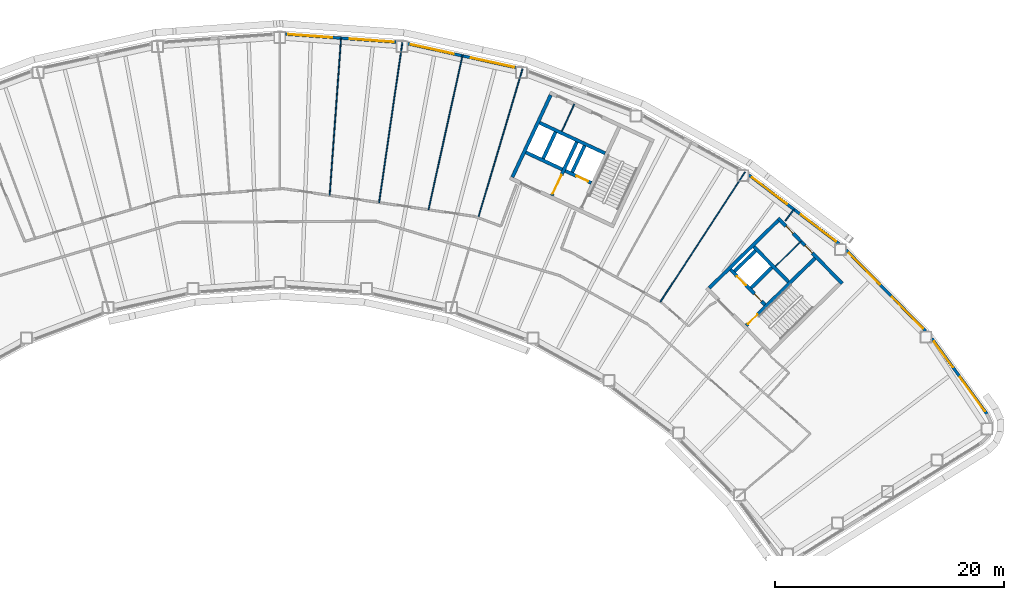
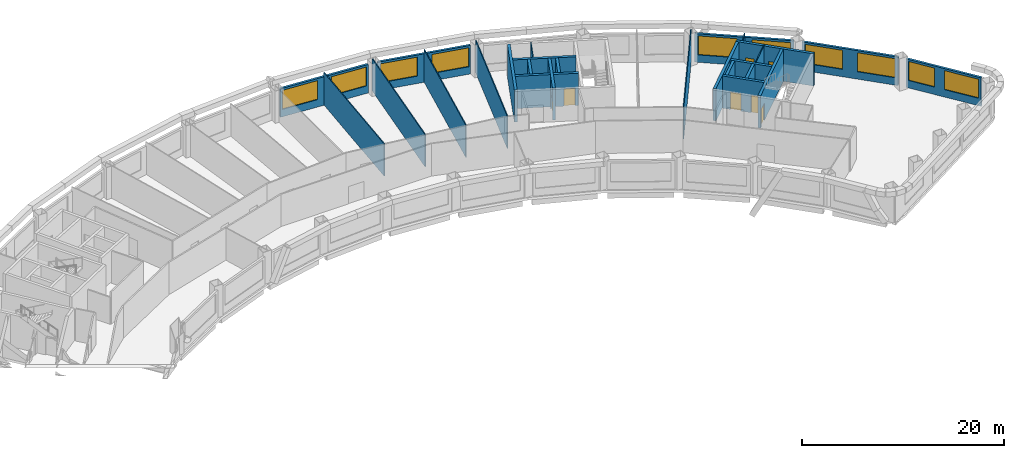
# One storey, part 7 of 11: 27 walls, 10 windows, 7 doors, 17 openings.
"""IFC4 building model written with IfcOpenShell, lengths in metres."""

import ifcopenshell
import ifcopenshell.guid

model = None  # the IFC model being written
_history = None  # IfcOwnerHistory: only IFC2X3 demands one
_inside = {}  # id of a spatial element -> (the spatial element, [elements in it])
_under = {}  # id of a project, library or spatial element -> (it, [spatial elements below it])
_declared = {}  # id of a project -> (the project, [libraries it declares])
_typed = {}  # id of a type object -> (the type object, [elements of that type])
_made_of = {}  # id of a material, layer set ... -> (it, [elements and type objects made of it])


def new_model(schema):
    """Start an empty IFC model of exactly this schema.

    Asked for "IFC4X3", IfcOpenShell would pick the latest addendum, in which some entities
    have other attributes; the version numbers below select the first issue.
    IFC2X3 requires an IfcOwnerHistory on every rooted entity: one is made here for all.
    """
    global model, _history
    if schema == "IFC4X3":
        model = ifcopenshell.file(schema_version=(4, 3, 0, 0))
    else:
        model = ifcopenshell.file(schema=schema)
    _inside.clear()
    _under.clear()
    _declared.clear()
    _typed.clear()
    _made_of.clear()
    _history = None
    if model.schema == "IFC2X3":
        org = make("IfcOrganization", Name="unknown")
        user = make(
            "IfcPersonAndOrganization",
            ThePerson=make("IfcPerson", FamilyName="unknown"),
            TheOrganization=org,
        )
        app = make(
            "IfcApplication",
            ApplicationDeveloper=org,
            Version="unknown",
            ApplicationFullName="unknown",
            ApplicationIdentifier="unknown",
        )
        _history = make(
            "IfcOwnerHistory",
            OwningUser=user,
            OwningApplication=app,
            ChangeAction="ADDED",
            CreationDate=0,
        )
    return model


def make(cls, **values):
    """One entity of the class cls with the attributes given. An attribute that is None is left unset."""
    return model.create_entity(
        cls, **{name: value for name, value in values.items() if value is not None}
    )


def rooted(cls, **values):
    """An entity with a GlobalId (a new one), such as an element, a storey or a relation."""
    return make(cls, GlobalId=ifcopenshell.guid.new(), OwnerHistory=_history, **values)


def si_unit(unit_type, name, prefix=None):
    """IfcSIUnit, for example si_unit("LENGTHUNIT", "METRE", prefix="MILLI")."""
    return make("IfcSIUnit", UnitType=unit_type, Prefix=prefix, Name=name)


def assignment(units):
    """IfcUnitAssignment: the units of a project."""
    return None if units is None else make("IfcUnitAssignment", Units=units)


def point(xyz):
    """IfcCartesianPoint."""
    return None if xyz is None else make("IfcCartesianPoint", Coordinates=xyz)


def direction(xyz):
    """IfcDirection."""
    return None if xyz is None else make("IfcDirection", DirectionRatios=xyz)


def frame(location, z_axis=None, x_axis=None):
    """IfcAxis2Placement3D, a coordinate frame: its origin and axes. An axis left out is left unset."""
    return make(
        "IfcAxis2Placement3D",
        Location=point(location),
        Axis=direction(z_axis),
        RefDirection=direction(x_axis),
    )


def frame_2d(location, x_axis=None):
    """IfcAxis2Placement2D, a coordinate frame in the plane: its origin and x axis."""
    return make(
        "IfcAxis2Placement2D", Location=point(location), RefDirection=direction(x_axis)
    )


def origin():
    """The frame at (0, 0, 0) with its axes left unset."""
    return frame((0.0, 0.0, 0.0))


def place(relative_to, where):
    """IfcLocalPlacement: puts the frame where relative to a parent placement (None: the world)."""
    return make(
        "IfcLocalPlacement", PlacementRelTo=relative_to, RelativePlacement=where
    )


def context(
    kind, dimensions, precision=None, world=None, true_north=None, identifier=None
):
    """IfcGeometricRepresentationContext, for example the 3D "Model" context."""
    return make(
        "IfcGeometricRepresentationContext",
        ContextIdentifier=identifier,
        ContextType=kind,
        CoordinateSpaceDimension=dimensions,
        Precision=precision,
        WorldCoordinateSystem=world,
        TrueNorth=true_north,
    )


def subcontext(parent, identifier, kind, view, scale=None):
    """IfcGeometricRepresentationSubContext, for example "Body" below "Model"."""
    return make(
        "IfcGeometricRepresentationSubContext",
        ContextIdentifier=identifier,
        ContextType=kind,
        ParentContext=parent,
        TargetScale=scale,
        TargetView=view,
    )


def project(units=None, contexts=None):
    """IfcProject with its units and contexts."""
    return rooted(
        "IfcProject",
        Name="project",
        RepresentationContexts=contexts,
        UnitsInContext=assignment(units),
    )


def spatial(cls, under=None, at=None, **own):
    """A site, building, storey or space (cls), placed at a placement, below another one or the project."""
    s = rooted(cls, ObjectPlacement=at, **own)
    if under is not None:
        _under.setdefault(under.id(), (under, []))[1].append(s)
    return s


def profile(cls, at=None, kind="AREA", **sizes):
    """A parametric profile (cls). Its sizes go by their IFC names, for example OverallWidth=200.0."""
    return make(cls, ProfileType=kind, Position=at, **sizes)


def rectangle(**sizes):
    """IfcRectangleProfileDef."""
    return profile("IfcRectangleProfileDef", **sizes)


def extrude(swept, where, along, depth):
    """IfcExtrudedAreaSolid: the profile swept, set in the frame where, extruded along a direction by depth."""
    return make(
        "IfcExtrudedAreaSolid",
        SweptArea=swept,
        Position=where,
        ExtrudedDirection=direction(along),
        Depth=depth,
    )


def shape(context_of_items, identifier, shape_type, items):
    """IfcShapeRepresentation: the items that make up one representation, for example the "Body"."""
    return make(
        "IfcShapeRepresentation",
        ContextOfItems=context_of_items,
        RepresentationIdentifier=identifier,
        RepresentationType=shape_type,
        Items=items,
    )


def material(Name=None, Category=None):
    """IfcMaterial."""
    return make("IfcMaterial", Name=Name, Category=Category)


def layer(
    of_material, thickness, ventilated=None, Name=None, Category=None, Priority=None
):
    """IfcMaterialLayer: one layer of a wall or slab, of a material (None: an air gap)."""
    return make(
        "IfcMaterialLayer",
        Material=of_material,
        LayerThickness=thickness,
        IsVentilated=ventilated,
        Name=Name,
        Category=Category,
        Priority=Priority,
    )


def layer_set(layers, Name=None):
    """IfcMaterialLayerSet."""
    return make("IfcMaterialLayerSet", MaterialLayers=layers, LayerSetName=Name)


def made_of(thing, what):
    """Note that an element or type object is made of a material, layer set ...; save() writes the relation."""
    if what is not None:
        _made_of.setdefault(what.id(), (what, []))[1].append(thing)
    return thing


def type_object(cls, material=None, **own):
    """A type object (cls), such as IfcWallType, which elements share."""
    return made_of(rooted(cls, **own), material)


def element(
    cls,
    number,
    at=None,
    inside=None,
    cuts=None,
    type_object=None,
    material=None,
    context=None,
    identifier="Body",
    shape_type=None,
    held_by="IfcProductDefinitionShape",
    body=None,
    shapes=None,
    **own,
):
    """One element of the class cls, such as IfcWall. Its Tag is "e" and its number.

    at: its placement. inside: the storey or other place that contains it. cuts: it is an
    opening in that element (IfcRelVoidsElement). A single representation is given by context,
    identifier, shape_type and body (its items); several are given by shapes. held_by: the class
    of the entity that holds the representations. save() writes the other relations.
    """
    e = rooted(cls, Tag="e%d" % number, ObjectPlacement=at, **own)
    if body is not None:
        shapes = [shape(context, identifier, shape_type, body)]
    if shapes is not None:
        e.Representation = make(held_by, Representations=shapes)
    if inside is not None:
        _inside.setdefault(inside.id(), (inside, []))[1].append(e)
    if cuts is not None:
        rooted(
            "IfcRelVoidsElement", RelatingBuildingElement=cuts, RelatedOpeningElement=e
        )
    if type_object is not None:
        _typed.setdefault(type_object.id(), (type_object, []))[1].append(e)
    return made_of(e, material)


def fill(opening, filler):
    """IfcRelFillsElement: the door or window that sits in an opening."""
    return rooted(
        "IfcRelFillsElement",
        RelatingOpeningElement=opening,
        RelatedBuildingElement=filler,
    )


def aggregate(whole, parts):
    """IfcRelAggregates: a whole, such as a stair, and the parts it consists of."""
    return rooted("IfcRelAggregates", RelatingObject=whole, RelatedObjects=parts)


def save(model, path):
    """Write the relations noted so far, then the file.

    IfcRelAggregates (storeys below a building ...), IfcRelContainedInSpatialStructure (elements
    in a storey), IfcRelDefinesByType, IfcRelAssociatesMaterial and IfcRelDeclares: one each for
    every whole, place, type object, material and project.
    """
    for whole, parts in _under.values():
        aggregate(whole, parts)
    for where, things in _inside.values():
        rooted(
            "IfcRelContainedInSpatialStructure",
            RelatedElements=things,
            RelatingStructure=where,
        )
    for kind, things in _typed.values():
        rooted("IfcRelDefinesByType", RelatedObjects=things, RelatingType=kind)
    for what, things in _made_of.values():
        rooted("IfcRelAssociatesMaterial", RelatedObjects=things, RelatingMaterial=what)
    for by, libraries in _declared.values():
        rooted("IfcRelDeclares", RelatingContext=by, RelatedDefinitions=libraries)
    model.write(path)


model = new_model("IFC4")

# Units and contexts
model_context = context("Model", 3, precision=1e-05, world=origin(), true_north=direction((0.0, 1.0)))
body_context = subcontext(model_context, "Body", "Model", "MODEL_VIEW")
ifc_project = project(units=[si_unit("LENGTHUNIT", "METRE"), si_unit("AREAUNIT", "SQUARE_METRE"), si_unit("VOLUMEUNIT", "CUBIC_METRE"), si_unit("PLANEANGLEUNIT", "RADIAN"), si_unit("MASSUNIT", "GRAM", prefix="KILO")], contexts=[model_context])

# Site, building, storey
site_placement = place(None, origin())
site = spatial("IfcSite", under=ifc_project, at=site_placement, CompositionType="ELEMENT")
building_placement = place(site_placement, origin())
building = spatial("IfcBuilding", under=site, at=building_placement, Name="Tuul Gate Civic Tower", CompositionType="ELEMENT")
storey_placement = place(building_placement, frame((0.0, 0.0, 142.39990234375)))
storey = spatial("IfcBuildingStorey", under=building, at=storey_placement, Name="Level 32", CompositionType="ELEMENT", Elevation=142.39990234375)

# Wall, openings, doors
ifc_material_1 = material(Name="Concrete C50/60", Category="concrete")
ifc_layer_1 = layer(ifc_material_1, 0.300048828125)
ifc_layer_set_1 = layer_set([ifc_layer_1], Name="Concrete C50/60")
wall_type_1 = type_object("IfcWallType", Name="Core wall C50/60", PredefinedType="SHEAR", material=ifc_layer_set_1)
wall_1_placement = place(storey_placement, frame((47.701904296875, -14.079833984375, 0.0), z_axis=(0.0, 0.0, 1.0), x_axis=(-0.700002721075, 0.714140175657, 0.0)))
wall_1 = element("IfcWall", 1, at=wall_1_placement, inside=storey, type_object=wall_type_1, Name="Core wall", PredefinedType="SHEAR", context=body_context, shape_type="SweptSolid", body=[
    extrude(rectangle(XDim=4.300048828125, YDim=0.300048828125, at=frame_2d((2.14990234375, 0.0))), origin(), (0.0, 0.0, 1.0), 3.900146484375),
])
opening_1_placement = place(wall_1_placement, frame((0.425048828125, 0.0, 0.0)))
opening_1 = element("IfcOpeningElement", 2, at=opening_1_placement, cuts=wall_1, Name="Opening FB-E1A1", PredefinedType="OPENING", context=body_context, shape_type="SweptSolid", body=[
    extrude(rectangle(XDim=0.89990234375, YDim=2.10009765625, at=frame_2d((0.449951171875, 1.050048828125))), frame((0.0, 0.16015625, 0.0), z_axis=(0.0, -1.0, 0.0), x_axis=(1.0, 0.0, 0.0)), (0.0, 0.0, 1.0), 0.320068359375),
])
opening_2_placement = place(wall_1_placement, frame((2.375, 0.0, 0.0)))
opening_2 = element("IfcOpeningElement", 3, at=opening_2_placement, cuts=wall_1, Name="Opening LD-M3", PredefinedType="OPENING", context=body_context, shape_type="SweptSolid", body=[
    extrude(rectangle(XDim=1.10009765625, YDim=2.10009765625, at=frame_2d((0.550048828125, 1.050048828125))), frame((0.0, 0.16015625, 0.0), z_axis=(0.0, -1.0, 0.0), x_axis=(1.0, 0.0, 0.0)), (0.0, 0.0, 1.0), 0.320068359375),
])
ifc_material_2 = material(Name="Stainless steel", Category="steel")
door_type_1 = type_object("IfcDoorType", Name="Landing door", OperationType="DOUBLE_DOOR_SLIDING", PredefinedType="DOOR", material=ifc_material_2)
door_1_placement = place(opening_2_placement, origin())
door_1 = element("IfcDoor", 4, at=door_1_placement, inside=storey, type_object=door_type_1, Name="Mid-rise lift M3 landing door", OperationType="DOUBLE_DOOR_SLIDING", OverallHeight=2.10009765625, OverallWidth=1.10009765625, PredefinedType="DOOR", context=body_context, shape_type="SweptSolid", body=[
    extrude(rectangle(XDim=1.10009765625, YDim=2.10009765625, at=frame_2d((0.550048828125, 1.050048828125))), frame((0.0, 0.02490234375, 0.0), z_axis=(0.0, -1.0, 0.0), x_axis=(1.0, 0.0, 0.0)), (0.0, 0.0, 1.0), 0.050048828125),
])
fill(opening_2, door_1)
ifc_material_3 = material(Name="Steel", Category="steel")
door_type_2 = type_object("IfcDoorType", Name="Store door", OperationType="NOTDEFINED", PredefinedType="DOOR", material=ifc_material_3)
door_2_placement = place(opening_1_placement, frame((0.89990234375, 0.0, 0.0), z_axis=(0.0, 0.0, 1.0), x_axis=(-1.0, 0.0, 0.0)))
door_2 = element("IfcDoor", 5, at=door_2_placement, inside=storey, type_object=door_type_2, Name="Store door E1A1", OperationType="SINGLE_SWING_RIGHT", OverallHeight=2.10009765625, OverallWidth=0.89990234375, PredefinedType="DOOR", context=body_context, shape_type="SweptSolid", body=[
    extrude(rectangle(XDim=0.89990234375, YDim=2.10009765625, at=frame_2d((0.449951171875, 1.050048828125))), frame((0.0, 0.02490234375, 0.0), z_axis=(0.0, -1.0, 0.0), x_axis=(1.0, 0.0, 0.0)), (0.0, 0.0, 1.0), 0.050048828125),
])
fill(opening_1, door_2)

# Wall
wall_2_placement = place(storey_placement, frame((49.737060546875, -12.0849609375, 0.0), z_axis=(0.0, 0.0, 1.0), x_axis=(-0.700002721075, 0.714140175657, 0.0)))
element("IfcWall", 6, at=wall_2_placement, inside=storey, type_object=wall_type_1, Name="Core wall", PredefinedType="SHEAR", context=body_context, shape_type="SweptSolid", body=[
    extrude(rectangle(XDim=4.300048828125, YDim=0.300048828125, at=frame_2d((2.14990234375, 0.0))), origin(), (0.0, 0.0, 1.0), 3.900146484375),
])

# Wall, openings, doors
wall_3_placement = place(storey_placement, frame((54.43798828125, -12.23779296875, 0.0), z_axis=(0.0, 0.0, 1.0), x_axis=(-0.700021979774, 0.714121297703, 0.0)))
wall_3 = element("IfcWall", 7, at=wall_3_placement, inside=storey, type_object=wall_type_1, Name="Core wall", PredefinedType="SHEAR", context=body_context, shape_type="SweptSolid", body=[
    extrude(rectangle(XDim=8.0, YDim=0.300048828125, at=frame_2d((4.0, 0.0))), origin(), (0.0, 0.0, 1.0), 3.900146484375),
])
opening_3_placement = place(wall_3_placement, frame((3.75, 0.0, 0.0)))
opening_3 = element("IfcOpeningElement", 8, at=opening_3_placement, cuts=wall_3, Name="Opening K-D24", PredefinedType="OPENING", context=body_context, shape_type="SweptSolid", body=[
    extrude(rectangle(XDim=0.89990234375, YDim=2.10009765625, at=frame_2d((0.449951171875, 1.050048828125))), frame((0.0, 0.16015625, 0.0), z_axis=(0.0, -1.0, 0.0), x_axis=(1.0, 0.0, 0.0)), (0.0, 0.0, 1.0), 0.320068359375),
])
opening_4_placement = place(wall_3_placement, frame((6.125, 0.0, 0.0)))
opening_4 = element("IfcOpeningElement", 9, at=opening_4_placement, cuts=wall_3, Name="Opening K-D25", PredefinedType="OPENING", context=body_context, shape_type="SweptSolid", body=[
    extrude(rectangle(XDim=0.89990234375, YDim=2.10009765625, at=frame_2d((0.449951171875, 1.050048828125))), frame((0.0, 0.16015625, 0.0), z_axis=(0.0, -1.0, 0.0), x_axis=(1.0, 0.0, 0.0)), (0.0, 0.0, 1.0), 0.320068359375),
])
ifc_material_4 = material(Name="Timber door leaf", Category="wood")
door_type_3 = type_object("IfcDoorType", Name="Door D09", OperationType="NOTDEFINED", PredefinedType="DOOR", material=ifc_material_4)
door_3_placement = place(opening_3_placement, origin())
door_3 = element("IfcDoor", 10, at=door_3_placement, inside=storey, type_object=door_type_3, Name="Door K-D24", OperationType="SINGLE_SWING_LEFT", OverallHeight=2.10009765625, OverallWidth=0.89990234375, PredefinedType="DOOR", context=body_context, shape_type="SweptSolid", body=[
    extrude(rectangle(XDim=0.89990234375, YDim=2.10009765625, at=frame_2d((0.449951171875, 1.050048828125))), frame((0.0, 0.02490234375, 0.0), z_axis=(0.0, -1.0, 0.0), x_axis=(1.0, 0.0, 0.0)), (0.0, 0.0, 1.0), 0.050048828125),
])
fill(opening_3, door_3)
door_4_placement = place(opening_4_placement, origin())
door_4 = element("IfcDoor", 11, at=door_4_placement, inside=storey, type_object=door_type_3, Name="Door K-D25", OperationType="SINGLE_SWING_LEFT", OverallHeight=2.10009765625, OverallWidth=0.89990234375, PredefinedType="DOOR", context=body_context, shape_type="SweptSolid", body=[
    extrude(rectangle(XDim=0.89990234375, YDim=2.10009765625, at=frame_2d((0.449951171875, 1.050048828125))), frame((0.0, 0.02490234375, 0.0), z_axis=(0.0, -1.0, 0.0), x_axis=(1.0, 0.0, 0.0)), (0.0, 0.0, 1.0), 0.050048828125),
])
fill(opening_4, door_4)

# Wall, opening, door
wall_4_placement = place(storey_placement, frame((46.05712890625, -15.902099609375, 0.0), z_axis=(0.0, 0.0, 1.0), x_axis=(0.714134086973, 0.700008932674, 0.0)))
wall_4 = element("IfcWall", 12, at=wall_4_placement, inside=storey, type_object=wall_type_1, Name="Core wall", PredefinedType="SHEAR", context=body_context, shape_type="SweptSolid", body=[
    extrude(rectangle(XDim=8.400146484375, YDim=0.300048828125, at=frame_2d((4.2001953125, 0.0))), origin(), (0.0, 0.0, 1.0), 3.900146484375),
])
opening_5_placement = place(wall_4_placement, frame((0.199951171875, 0.0, 0.0)))
opening_5 = element("IfcOpeningElement", 13, at=opening_5_placement, cuts=wall_4, Name="Opening SD-ST-3", PredefinedType="OPENING", context=body_context, shape_type="SweptSolid", body=[
    extrude(rectangle(XDim=1.199951171875, YDim=2.10009765625, at=frame_2d((0.60009765625, 1.050048828125))), frame((0.0, 0.16015625, 0.0), z_axis=(0.0, -1.0, 0.0), x_axis=(1.0, 0.0, 0.0)), (0.0, 0.0, 1.0), 0.320068359375),
])
ifc_material_5 = material(Name="Steel", Category="steel")
door_type_4 = type_object("IfcDoorType", Name="Stair door", OperationType="NOTDEFINED", PredefinedType="DOOR", material=ifc_material_5)
door_5_placement = place(opening_5_placement, origin())
door_5 = element("IfcDoor", 14, at=door_5_placement, inside=storey, type_object=door_type_4, Name="Stair door ST-3", OperationType="SINGLE_SWING_LEFT", OverallHeight=2.10009765625, OverallWidth=1.199951171875, PredefinedType="DOOR", context=body_context, shape_type="SweptSolid", body=[
    extrude(rectangle(XDim=1.199951171875, YDim=2.10009765625, at=frame_2d((0.60009765625, 1.050048828125))), frame((0.0, 0.02490234375, 0.0), z_axis=(0.0, -1.0, 0.0), x_axis=(1.0, 0.0, 0.0)), (0.0, 0.0, 1.0), 0.050048828125),
])
fill(opening_5, door_5)

# Walls
wall_5_placement = place(storey_placement, frame((46.47900390625, -12.617919921875, 0.0), z_axis=(0.0, 0.0, 1.0), x_axis=(0.71410944159, 0.700034074479, 0.0)))
element("IfcWall", 15, at=wall_5_placement, inside=storey, type_object=wall_type_1, Name="Core wall", PredefinedType="SHEAR", context=body_context, shape_type="SweptSolid", body=[
    extrude(rectangle(XDim=2.5498046875, YDim=0.300048828125, at=frame_2d((1.27490234375, 0.0))), origin(), (0.0, 0.0, 1.0), 3.900146484375),
])
wall_6_placement = place(storey_placement, frame((45.0439453125, -11.154052734375, 0.0), z_axis=(0.0, 0.0, 1.0), x_axis=(0.714108498262, 0.700035036773, 0.0)))
element("IfcWall", 16, at=wall_6_placement, inside=storey, type_object=wall_type_1, Name="Core wall", PredefinedType="SHEAR", context=body_context, shape_type="SweptSolid", body=[
    extrude(rectangle(XDim=2.550048828125, YDim=0.300048828125, at=frame_2d((1.27490234375, 0.0))), origin(), (0.0, 0.0, 1.0), 3.900146484375),
])
wall_7_placement = place(storey_placement, frame((42.837158203125, -12.616943359375, 0.0), z_axis=(0.0, 0.0, 1.0), x_axis=(0.714119844755, 0.700023461983, 0.0)))
element("IfcWall", 17, at=wall_7_placement, inside=storey, type_object=wall_type_1, Name="Core wall", PredefinedType="SHEAR", context=body_context, shape_type="SweptSolid", body=[
    extrude(rectangle(XDim=8.39990234375, YDim=0.300048828125, at=frame_2d((4.199951171875, 0.0))), origin(), (0.0, 0.0, 1.0), 3.900146484375),
])

# Wall, opening, door
wall_8_placement = place(storey_placement, frame((32.545654296875, -3.456787109375, 0.0), z_axis=(0.0, 0.0, 1.0), x_axis=(-0.906300357825, 0.42263419337, 0.0)))
wall_8 = element("IfcWall", 18, at=wall_8_placement, inside=storey, type_object=wall_type_1, Name="Core wall", PredefinedType="SHEAR", context=body_context, shape_type="SweptSolid", body=[
    extrude(rectangle(XDim=2.500244140625, YDim=0.300048828125, at=frame_2d((1.25, 0.0))), origin(), (0.0, 0.0, 1.0), 3.900146484375),
])
opening_6_placement = place(wall_8_placement, frame((0.324951171875, 0.0, 0.0)))
opening_6 = element("IfcOpeningElement", 19, at=opening_6_placement, cuts=wall_8, Name="Opening LD-FF-2", PredefinedType="OPENING", context=body_context, shape_type="SweptSolid", body=[
    extrude(rectangle(XDim=1.10009765625, YDim=2.10009765625, at=frame_2d((0.550048828125, 1.050048828125))), frame((0.0, 0.16015625, 0.0), z_axis=(0.0, -1.0, 0.0), x_axis=(1.0, 0.0, 0.0)), (0.0, 0.0, 1.0), 0.320068359375),
])
door_6_placement = place(opening_6_placement, origin())
door_6 = element("IfcDoor", 20, at=door_6_placement, inside=storey, type_object=door_type_1, Name="Fire-fighting lift FF-2 landing door", OperationType="DOUBLE_DOOR_SLIDING", OverallHeight=2.10009765625, OverallWidth=1.10009765625, PredefinedType="DOOR", context=body_context, shape_type="SweptSolid", body=[
    extrude(rectangle(XDim=1.10009765625, YDim=2.10009765625, at=frame_2d((0.550048828125, 1.050048828125))), frame((0.0, 0.02490234375, 0.0), z_axis=(0.0, -1.0, 0.0), x_axis=(1.0, 0.0, 0.0)), (0.0, 0.0, 1.0), 0.050048828125),
])
fill(opening_6, door_6)

# Walls
wall_9_placement = place(storey_placement, frame((30.0078125, -2.2734375, 0.0), z_axis=(0.0, 0.0, 1.0), x_axis=(-0.90630071767, 0.422633421716, 0.0)))
element("IfcWall", 21, at=wall_9_placement, inside=storey, type_object=wall_type_1, Name="Core wall", PredefinedType="SHEAR", context=body_context, shape_type="SweptSolid", body=[
    extrude(rectangle(XDim=3.5, YDim=0.300048828125, at=frame_2d((1.75, 0.0))), origin(), (0.0, 0.0, 1.0), 3.900146484375),
])
wall_10_placement = place(storey_placement, frame((33.75, -0.873779296875, 0.0), z_axis=(0.0, 0.0, 1.0), x_axis=(-0.906300917592, 0.422632992999, 0.0)))
element("IfcWall", 22, at=wall_10_placement, inside=storey, type_object=wall_type_1, Name="Core wall", PredefinedType="SHEAR", context=body_context, shape_type="SweptSolid", body=[
    extrude(rectangle(XDim=6.300048828125, YDim=0.300048828125, at=frame_2d((3.14990234375, 0.0))), origin(), (0.0, 0.0, 1.0), 3.900146484375),
])
wall_11_placement = place(storey_placement, frame((30.886962890625, -2.517822265625, 0.0), z_axis=(0.0, 0.0, 1.0), x_axis=(0.422612891016, 0.906310291427, 0.0)))
element("IfcWall", 23, at=wall_11_placement, inside=storey, type_object=wall_type_1, Name="Core wall", PredefinedType="SHEAR", context=body_context, shape_type="SweptSolid", body=[
    extrude(rectangle(XDim=2.550048828125, YDim=0.300048828125, at=frame_2d((1.27490234375, 0.0))), origin(), (0.0, 0.0, 1.0), 3.900146484375),
])

# Wall, opening, door
wall_12_placement = place(storey_placement, frame((29.108642578125, -4.557373046875, 0.0), z_axis=(0.0, 0.0, 1.0), x_axis=(0.422566235356, 0.90633204552, 0.0)))
wall_12 = element("IfcWall", 24, at=wall_12_placement, inside=storey, type_object=wall_type_1, Name="Core wall", PredefinedType="SHEAR", context=body_context, shape_type="SweptSolid", body=[
    extrude(rectangle(XDim=5.150146484375, YDim=0.300048828125, at=frame_2d((2.5751953125, 0.0))), origin(), (0.0, 0.0, 1.0), 3.900146484375),
])
opening_7_placement = place(wall_12_placement, frame((0.175048828125, 0.0, 0.0)))
opening_7 = element("IfcOpeningElement", 25, at=opening_7_placement, cuts=wall_12, Name="Opening LB-E3-FLOBBY-1", PredefinedType="OPENING", context=body_context, shape_type="SweptSolid", body=[
    extrude(rectangle(XDim=1.800048828125, YDim=2.10009765625, at=frame_2d((0.89990234375, 1.050048828125))), frame((0.0, 0.16015625, 0.0), z_axis=(0.0, -1.0, 0.0), x_axis=(1.0, 0.0, 0.0)), (0.0, 0.0, 1.0), 0.320068359375),
])
ifc_material_6 = material(Name="Steel", Category="steel")
door_type_5 = type_object("IfcDoorType", Name="Lobby door", OperationType="DOUBLE_DOOR_SINGLE_SWING", PredefinedType="DOOR", material=ifc_material_6)
door_7_placement = place(opening_7_placement, frame((1.800048828125, 0.0, 0.0), z_axis=(0.0, 0.0, 1.0), x_axis=(-1.0, 0.0, 0.0)))
door_7 = element("IfcDoor", 26, at=door_7_placement, inside=storey, type_object=door_type_5, Name="Lobby door E3-FLOBBY", OperationType="DOUBLE_DOOR_SINGLE_SWING", OverallHeight=2.10009765625, OverallWidth=1.800048828125, PredefinedType="DOOR", context=body_context, shape_type="SweptSolid", body=[
    extrude(rectangle(XDim=1.800048828125, YDim=2.10009765625, at=frame_2d((0.900146484375, 1.050048828125))), frame((0.0, 0.02490234375, 0.0), z_axis=(0.0, -1.0, 0.0), x_axis=(1.0, 0.0, 0.0)), (0.0, 0.0, 1.0), 0.050048828125),
])
fill(opening_7, door_7)

# Walls
wall_13_placement = place(storey_placement, frame((28.349365234375, -1.33447265625, 0.0), z_axis=(0.0, 0.0, 1.0), x_axis=(0.422612891016, 0.906310291427, 0.0)))
element("IfcWall", 27, at=wall_13_placement, inside=storey, type_object=wall_type_1, Name="Core wall", PredefinedType="SHEAR", context=body_context, shape_type="SweptSolid", body=[
    extrude(rectangle(XDim=2.550048828125, YDim=0.300048828125, at=frame_2d((1.27490234375, 0.0))), origin(), (0.0, 0.0, 1.0), 3.900146484375),
])
wall_14_placement = place(storey_placement, frame((25.66455078125, -2.951416015625, 0.0), z_axis=(0.0, 0.0, 1.0), x_axis=(0.422582604137, 0.906324413596, 0.0)))
element("IfcWall", 28, at=wall_14_placement, inside=storey, type_object=wall_type_1, Name="Core wall", PredefinedType="SHEAR", context=body_context, shape_type="SweptSolid", body=[
    extrude(rectangle(XDim=7.89990234375, YDim=0.300048828125, at=frame_2d((3.949951171875, 0.0))), origin(), (0.0, 0.0, 1.0), 3.900146484375),
])

# Wall, openings, windows
ifc_material_7 = material(Name="Precast concrete C40/50", Category="concrete")
ifc_layer_2 = layer(ifc_material_7, 0.25)
ifc_layer_set_2 = layer_set([ifc_layer_2], Name="Precast concrete C40/50")
wall_type_2 = type_object("IfcWallType", Name="External wall", PredefinedType="STANDARD", material=ifc_layer_set_2)
wall_15_placement = place(storey_placement, frame((67.06298828125, -23.61376953125, 0.0), z_axis=(0.0, 0.0, 1.0), x_axis=(-0.589745261817, 0.807589330145, 0.0)))
wall_15 = element("IfcWall", 29, at=wall_15_placement, inside=storey, type_object=wall_type_2, Name="External wall", PredefinedType="STANDARD", context=body_context, shape_type="SweptSolid", body=[
    extrude(rectangle(XDim=8.167724609375, YDim=0.25, at=frame_2d((4.083984375, 0.0))), origin(), (0.0, 0.0, 1.0), 3.4501953125),
])
opening_8_placement = place(wall_15_placement, frame((0.30078125, 0.0, 0.89990234375)))
opening_8 = element("IfcOpeningElement", 30, at=opening_8_placement, cuts=wall_15, Name="Opening W21", PredefinedType="OPENING", context=body_context, shape_type="SweptSolid", body=[
    extrude(rectangle(XDim=3.699951171875, YDim=2.300048828125, at=frame_2d((1.85009765625, 1.14990234375))), frame((0.0, 0.135009765625, 0.0), z_axis=(0.0, -1.0, 0.0), x_axis=(1.0, 0.0, 0.0)), (0.0, 0.0, 1.0), 0.27001953125),
])
opening_9_placement = place(wall_15_placement, frame((5.052734375, 0.0, 0.89990234375)))
opening_9 = element("IfcOpeningElement", 31, at=opening_9_placement, cuts=wall_15, Name="Opening W23", PredefinedType="OPENING", context=body_context, shape_type="SweptSolid", body=[
    extrude(rectangle(XDim=2.800048828125, YDim=2.300048828125, at=frame_2d((1.39990234375, 1.14990234375))), frame((0.0, 0.135009765625, 0.0), z_axis=(0.0, -1.0, 0.0), x_axis=(1.0, 0.0, 0.0)), (0.0, 0.0, 1.0), 0.27001953125),
])
ifc_material_8 = material(Name="Glass", Category="glass")
window_type_1 = type_object("IfcWindowType", Name="Window W21 3700 x 2300", PartitioningType="SINGLE_PANEL", PredefinedType="WINDOW", material=ifc_material_8)
window_1_placement = place(opening_8_placement, origin())
window_1 = element("IfcWindow", 32, at=window_1_placement, inside=storey, type_object=window_type_1, Name="Window", OverallHeight=2.300048828125, OverallWidth=3.699951171875, PartitioningType="SINGLE_PANEL", PredefinedType="WINDOW", context=body_context, shape_type="SweptSolid", body=[
    extrude(rectangle(XDim=3.699951171875, YDim=2.300048828125, at=frame_2d((1.85009765625, 1.14990234375))), frame((0.0, 0.030029296875, 0.0), z_axis=(0.0, -1.0, 0.0), x_axis=(1.0, 0.0, 0.0)), (0.0, 0.0, 1.0), 0.06005859375),
])
fill(opening_8, window_1)
ifc_material_9 = material(Name="Glass", Category="glass")
window_type_2 = type_object("IfcWindowType", Name="Window W23 2800 x 2300", PartitioningType="SINGLE_PANEL", PredefinedType="WINDOW", material=ifc_material_9)
window_2_placement = place(opening_9_placement, origin())
window_2 = element("IfcWindow", 33, at=window_2_placement, inside=storey, type_object=window_type_2, Name="Window", OverallHeight=2.300048828125, OverallWidth=2.800048828125, PartitioningType="SINGLE_PANEL", PredefinedType="WINDOW", context=body_context, shape_type="SweptSolid", body=[
    extrude(rectangle(XDim=2.800048828125, YDim=2.300048828125, at=frame_2d((1.39990234375, 1.14990234375))), frame((0.0, 0.030029296875, 0.0), z_axis=(0.0, -1.0, 0.0), x_axis=(1.0, 0.0, 0.0)), (0.0, 0.0, 1.0), 0.06005859375),
])
fill(opening_9, window_2)

wall_16_placement = place(storey_placement, frame((61.7109375, -16.384033203125, 0.0), z_axis=(0.0, 0.0, 1.0), x_axis=(-0.700039889753, 0.714103740891, 0.0)))
wall_16 = element("IfcWall", 34, at=wall_16_placement, inside=storey, type_object=wall_type_2, Name="External wall", PredefinedType="STANDARD", context=body_context, shape_type="SweptSolid", body=[
    extrude(rectangle(XDim=9.912353515625, YDim=0.25, at=frame_2d((4.9560546875, 0.0))), origin(), (0.0, 0.0, 1.0), 3.4501953125),
])
opening_10_placement = place(wall_16_placement, frame((0.3466796875, 0.0, 0.89990234375)))
opening_10 = element("IfcOpeningElement", 35, at=opening_10_placement, cuts=wall_16, Name="Opening W22", PredefinedType="OPENING", context=body_context, shape_type="SweptSolid", body=[
    extrude(rectangle(XDim=3.85009765625, YDim=2.300048828125, at=frame_2d((1.925048828125, 1.14990234375))), frame((0.0, 0.135009765625, 0.0), z_axis=(0.0, -1.0, 0.0), x_axis=(1.0, 0.0, 0.0)), (0.0, 0.0, 1.0), 0.27001953125),
])
opening_11_placement = place(wall_16_placement, frame((5.7177734375, 0.0, 0.89990234375)))
opening_11 = element("IfcOpeningElement", 36, at=opening_11_placement, cuts=wall_16, Name="Opening W22", PredefinedType="OPENING", context=body_context, shape_type="SweptSolid", body=[
    extrude(rectangle(XDim=3.85009765625, YDim=2.300048828125, at=frame_2d((1.925048828125, 1.14990234375))), frame((0.0, 0.135009765625, 0.0), z_axis=(0.0, -1.0, 0.0), x_axis=(1.0, 0.0, 0.0)), (0.0, 0.0, 1.0), 0.27001953125),
])
ifc_material_10 = material(Name="Glass", Category="glass")
window_type_3 = type_object("IfcWindowType", Name="Window W22 3850 x 2300", PartitioningType="SINGLE_PANEL", PredefinedType="WINDOW", material=ifc_material_10)
window_3_placement = place(opening_10_placement, origin())
window_3 = element("IfcWindow", 37, at=window_3_placement, inside=storey, type_object=window_type_3, Name="Window", OverallHeight=2.300048828125, OverallWidth=3.85009765625, PartitioningType="SINGLE_PANEL", PredefinedType="WINDOW", context=body_context, shape_type="SweptSolid", body=[
    extrude(rectangle(XDim=3.85009765625, YDim=2.300048828125, at=frame_2d((1.925048828125, 1.14990234375))), frame((0.0, 0.030029296875, 0.0), z_axis=(0.0, -1.0, 0.0), x_axis=(1.0, 0.0, 0.0)), (0.0, 0.0, 1.0), 0.06005859375),
])
fill(opening_10, window_3)
window_4_placement = place(opening_11_placement, origin())
window_4 = element("IfcWindow", 38, at=window_4_placement, inside=storey, type_object=window_type_3, Name="Window", OverallHeight=2.300048828125, OverallWidth=3.85009765625, PartitioningType="SINGLE_PANEL", PredefinedType="WINDOW", context=body_context, shape_type="SweptSolid", body=[
    extrude(rectangle(XDim=3.85009765625, YDim=2.300048828125, at=frame_2d((1.925048828125, 1.14990234375))), frame((0.0, 0.030029296875, 0.0), z_axis=(0.0, -1.0, 0.0), x_axis=(1.0, 0.0, 0.0)), (0.0, 0.0, 1.0), 0.06005859375),
])
fill(opening_11, window_4)

wall_17_placement = place(storey_placement, frame((54.15087890625, -8.759033203125, 0.0), z_axis=(0.0, 0.0, 1.0), x_axis=(-0.795610041496, 0.605809096887, 0.0)))
wall_17 = element("IfcWall", 39, at=wall_17_placement, inside=storey, type_object=wall_type_2, Name="External wall", PredefinedType="STANDARD", context=body_context, shape_type="SweptSolid", body=[
    extrude(rectangle(XDim=9.89794921875, YDim=0.25, at=frame_2d((4.948974609375, 0.0))), origin(), (0.0, 0.0, 1.0), 3.4501953125),
])
opening_12_placement = place(wall_17_placement, frame((0.3291015625, 0.0, 0.89990234375)))
opening_12 = element("IfcOpeningElement", 40, at=opening_12_placement, cuts=wall_17, Name="Opening W22", PredefinedType="OPENING", context=body_context, shape_type="SweptSolid", body=[
    extrude(rectangle(XDim=3.85009765625, YDim=2.300048828125, at=frame_2d((1.925048828125, 1.14990234375))), frame((0.0, 0.135009765625, 0.0), z_axis=(0.0, -1.0, 0.0), x_axis=(1.0, 0.0, 0.0)), (0.0, 0.0, 1.0), 0.27001953125),
])
opening_13_placement = place(wall_17_placement, frame((5.700439453125, 0.0, 0.89990234375)))
opening_13 = element("IfcOpeningElement", 41, at=opening_13_placement, cuts=wall_17, Name="Opening W22", PredefinedType="OPENING", context=body_context, shape_type="SweptSolid", body=[
    extrude(rectangle(XDim=3.85009765625, YDim=2.300048828125, at=frame_2d((1.925048828125, 1.14990234375))), frame((0.0, 0.135009765625, 0.0), z_axis=(0.0, -1.0, 0.0), x_axis=(1.0, 0.0, 0.0)), (0.0, 0.0, 1.0), 0.27001953125),
])
window_5_placement = place(opening_12_placement, origin())
window_5 = element("IfcWindow", 42, at=window_5_placement, inside=storey, type_object=window_type_3, Name="Window", OverallHeight=2.300048828125, OverallWidth=3.85009765625, PartitioningType="SINGLE_PANEL", PredefinedType="WINDOW", context=body_context, shape_type="SweptSolid", body=[
    extrude(rectangle(XDim=3.85009765625, YDim=2.300048828125, at=frame_2d((1.925048828125, 1.14990234375))), frame((0.0, 0.030029296875, 0.0), z_axis=(0.0, -1.0, 0.0), x_axis=(1.0, 0.0, 0.0)), (0.0, 0.0, 1.0), 0.06005859375),
])
fill(opening_12, window_5)
window_6_placement = place(opening_13_placement, origin())
window_6 = element("IfcWindow", 43, at=window_6_placement, inside=storey, type_object=window_type_3, Name="Window", OverallHeight=2.300048828125, OverallWidth=3.85009765625, PartitioningType="SINGLE_PANEL", PredefinedType="WINDOW", context=body_context, shape_type="SweptSolid", body=[
    extrude(rectangle(XDim=3.85009765625, YDim=2.300048828125, at=frame_2d((1.925048828125, 1.14990234375))), frame((0.0, 0.030029296875, 0.0), z_axis=(0.0, -1.0, 0.0), x_axis=(1.0, 0.0, 0.0)), (0.0, 0.0, 1.0), 0.06005859375),
])
fill(opening_13, window_6)

wall_18_placement = place(storey_placement, frame((25.950927734375, 6.60546875, 0.0), z_axis=(0.0, 0.0, 1.0), x_axis=(-0.976568733391, 0.215205736364, 0.0)))
wall_18 = element("IfcWall", 44, at=wall_18_placement, inside=storey, type_object=wall_type_2, Name="External wall", PredefinedType="STANDARD", context=body_context, shape_type="SweptSolid", body=[
    extrude(rectangle(XDim=9.654296875, YDim=0.25, at=frame_2d((4.8271484375, 0.0))), origin(), (0.0, 0.0, 1.0), 3.4501953125),
])
opening_14_placement = place(wall_18_placement, frame((0.145263671875, 0.0, 0.89990234375)))
opening_14 = element("IfcOpeningElement", 45, at=opening_14_placement, cuts=wall_18, Name="Opening W22", PredefinedType="OPENING", context=body_context, shape_type="SweptSolid", body=[
    extrude(rectangle(XDim=3.85009765625, YDim=2.300048828125, at=frame_2d((1.925048828125, 1.14990234375))), frame((0.0, 0.135009765625, 0.0), z_axis=(0.0, -1.0, 0.0), x_axis=(1.0, 0.0, 0.0)), (0.0, 0.0, 1.0), 0.27001953125),
])
opening_15_placement = place(wall_18_placement, frame((5.5166015625, 0.0, 0.89990234375)))
opening_15 = element("IfcOpeningElement", 46, at=opening_15_placement, cuts=wall_18, Name="Opening W22", PredefinedType="OPENING", context=body_context, shape_type="SweptSolid", body=[
    extrude(rectangle(XDim=3.85009765625, YDim=2.300048828125, at=frame_2d((1.925048828125, 1.14990234375))), frame((0.0, 0.135009765625, 0.0), z_axis=(0.0, -1.0, 0.0), x_axis=(1.0, 0.0, 0.0)), (0.0, 0.0, 1.0), 0.27001953125),
])
window_7_placement = place(opening_14_placement, origin())
window_7 = element("IfcWindow", 47, at=window_7_placement, inside=storey, type_object=window_type_3, Name="Window", OverallHeight=2.300048828125, OverallWidth=3.85009765625, PartitioningType="SINGLE_PANEL", PredefinedType="WINDOW", context=body_context, shape_type="SweptSolid", body=[
    extrude(rectangle(XDim=3.85009765625, YDim=2.300048828125, at=frame_2d((1.925048828125, 1.14990234375))), frame((0.0, 0.030029296875, 0.0), z_axis=(0.0, -1.0, 0.0), x_axis=(1.0, 0.0, 0.0)), (0.0, 0.0, 1.0), 0.06005859375),
])
fill(opening_14, window_7)
window_8_placement = place(opening_15_placement, origin())
window_8 = element("IfcWindow", 48, at=window_8_placement, inside=storey, type_object=window_type_3, Name="Window", OverallHeight=2.300048828125, OverallWidth=3.85009765625, PartitioningType="SINGLE_PANEL", PredefinedType="WINDOW", context=body_context, shape_type="SweptSolid", body=[
    extrude(rectangle(XDim=3.85009765625, YDim=2.300048828125, at=frame_2d((1.925048828125, 1.14990234375))), frame((0.0, 0.030029296875, 0.0), z_axis=(0.0, -1.0, 0.0), x_axis=(1.0, 0.0, 0.0)), (0.0, 0.0, 1.0), 0.06005859375),
])
fill(opening_15, window_8)

wall_19_placement = place(storey_placement, frame((15.52294921875, 8.822509765625, 0.0), z_axis=(0.0, 0.0, 1.0), x_axis=(-0.997386456692, 0.07225133914, 0.0)))
wall_19 = element("IfcWall", 49, at=wall_19_placement, inside=storey, type_object=wall_type_2, Name="External wall", PredefinedType="STANDARD", context=body_context, shape_type="SweptSolid", body=[
    extrude(rectangle(XDim=9.67431640625, YDim=0.25, at=frame_2d((4.837158203125, 0.0))), origin(), (0.0, 0.0, 1.0), 3.4501953125),
])
opening_16_placement = place(wall_19_placement, frame((0.203125, 0.0, 0.89990234375)))
opening_16 = element("IfcOpeningElement", 50, at=opening_16_placement, cuts=wall_19, Name="Opening W22", PredefinedType="OPENING", context=body_context, shape_type="SweptSolid", body=[
    extrude(rectangle(XDim=3.85009765625, YDim=2.300048828125, at=frame_2d((1.925048828125, 1.14990234375))), frame((0.0, 0.135009765625, 0.0), z_axis=(0.0, -1.0, 0.0), x_axis=(1.0, 0.0, 0.0)), (0.0, 0.0, 1.0), 0.27001953125),
])
opening_17_placement = place(wall_19_placement, frame((5.57421875, 0.0, 0.89990234375)))
opening_17 = element("IfcOpeningElement", 51, at=opening_17_placement, cuts=wall_19, Name="Opening W22", PredefinedType="OPENING", context=body_context, shape_type="SweptSolid", body=[
    extrude(rectangle(XDim=3.85009765625, YDim=2.300048828125, at=frame_2d((1.925048828125, 1.14990234375))), frame((0.0, 0.135009765625, 0.0), z_axis=(0.0, -1.0, 0.0), x_axis=(1.0, 0.0, 0.0)), (0.0, 0.0, 1.0), 0.27001953125),
])
window_9_placement = place(opening_16_placement, origin())
window_9 = element("IfcWindow", 52, at=window_9_placement, inside=storey, type_object=window_type_3, Name="Window", OverallHeight=2.300048828125, OverallWidth=3.85009765625, PartitioningType="SINGLE_PANEL", PredefinedType="WINDOW", context=body_context, shape_type="SweptSolid", body=[
    extrude(rectangle(XDim=3.85009765625, YDim=2.300048828125, at=frame_2d((1.925048828125, 1.14990234375))), frame((0.0, 0.030029296875, 0.0), z_axis=(0.0, -1.0, 0.0), x_axis=(1.0, 0.0, 0.0)), (0.0, 0.0, 1.0), 0.06005859375),
])
fill(opening_16, window_9)
window_10_placement = place(opening_17_placement, origin())
window_10 = element("IfcWindow", 53, at=window_10_placement, inside=storey, type_object=window_type_3, Name="Window", OverallHeight=2.300048828125, OverallWidth=3.85009765625, PartitioningType="SINGLE_PANEL", PredefinedType="WINDOW", context=body_context, shape_type="SweptSolid", body=[
    extrude(rectangle(XDim=3.85009765625, YDim=2.300048828125, at=frame_2d((1.925048828125, 1.14990234375))), frame((0.0, 0.030029296875, 0.0), z_axis=(0.0, -1.0, 0.0), x_axis=(1.0, 0.0, 0.0)), (0.0, 0.0, 1.0), 0.06005859375),
])
fill(opening_17, window_10)

# Walls
ifc_material_11 = material(Name="Gypsum board partition")
ifc_layer_3 = layer(ifc_material_11, 0.10009765625)
ifc_layer_set_3 = layer_set([ifc_layer_3], Name="Gypsum board partition")
wall_type_3 = type_object("IfcWallType", Name="Partition P100", PredefinedType="PARTITIONING", material=ifc_layer_set_3)
wall_20_placement = place(storey_placement, frame((49.474853515625, -6.746337890625, 0.0), z_axis=(0.0, 0.0, 1.0), x_axis=(0.605733843496, 0.795667336796, 0.0)))
element("IfcWall", 54, at=wall_20_placement, inside=storey, type_object=wall_type_3, Name="p003", PredefinedType="PARTITIONING", context=body_context, shape_type="SweptSolid", body=[
    extrude(rectangle(XDim=1.236572265625, YDim=0.10009765625, at=frame_2d((0.6181640625, 0.0))), origin(), (0.0, 0.0, 1.0), 3.900146484375),
])
wall_21_placement = place(storey_placement, frame((38.574951171875, -13.820068359375, 0.0), z_axis=(0.0, 0.0, 1.0), x_axis=(0.546734837923, 0.837305808532, 0.0)))
element("IfcWall", 55, at=wall_21_placement, inside=storey, type_object=wall_type_3, Name="p009", PredefinedType="PARTITIONING", context=body_context, shape_type="SweptSolid", body=[
    extrude(rectangle(XDim=13.5029296875, YDim=0.10009765625, at=frame_2d((6.75146484375, 0.0))), origin(), (0.0, 0.0, 1.0), 3.900146484375),
])
wall_22_placement = place(storey_placement, frame((22.68359375, -6.497314453125, 0.0), z_axis=(0.0, 0.0, 1.0), x_axis=(0.285214745919, 0.958463639744, 0.0)))
element("IfcWall", 56, at=wall_22_placement, inside=storey, type_object=wall_type_3, Name="p015", PredefinedType="PARTITIONING", context=body_context, shape_type="SweptSolid", body=[
    extrude(rectangle(XDim=13.5390625, YDim=0.10009765625, at=frame_2d((6.76953125, 0.0))), origin(), (0.0, 0.0, 1.0), 3.900146484375),
])
wall_23_placement = place(storey_placement, frame((18.34912109375, -5.793212890625, 0.0), z_axis=(0.0, 0.0, 1.0), x_axis=(0.215211687089, 0.976567422015, 0.0)))
element("IfcWall", 57, at=wall_23_placement, inside=storey, type_object=wall_type_3, Name="p020", PredefinedType="PARTITIONING", context=body_context, shape_type="SweptSolid", body=[
    extrude(rectangle(XDim=13.749267578125, YDim=0.10009765625, at=frame_2d((6.87451171875, 0.0))), origin(), (0.0, 0.0, 1.0), 3.900146484375),
])
wall_24_placement = place(storey_placement, frame((14.038818359375, -5.16748046875, 0.0), z_axis=(0.0, 0.0, 1.0), x_axis=(0.144120779415, 0.989560104764, 0.0)))
element("IfcWall", 58, at=wall_24_placement, inside=storey, type_object=wall_type_3, Name="p022", PredefinedType="PARTITIONING", context=body_context, shape_type="SweptSolid", body=[
    extrude(rectangle(XDim=14.1025390625, YDim=0.10009765625, at=frame_2d((7.05126953125, 0.0))), origin(), (0.0, 0.0, 1.0), 3.900146484375),
])
wall_25_placement = place(storey_placement, frame((9.72900390625, -4.54150390625, 0.0), z_axis=(0.0, 0.0, 1.0), x_axis=(0.07225122654, 0.997386464849, 0.0)))
element("IfcWall", 59, at=wall_25_placement, inside=storey, type_object=wall_type_3, Name="p023", PredefinedType="PARTITIONING", context=body_context, shape_type="SweptSolid", body=[
    extrude(rectangle(XDim=13.752685546875, YDim=0.10009765625, at=frame_2d((6.87646484375, 0.0))), origin(), (0.0, 0.0, 1.0), 3.900146484375),
])
wall_26_placement = place(storey_placement, frame((48.619140625, -10.72998046875, 0.0), z_axis=(0.0, 0.0, 1.0), x_axis=(0.714159293908, 0.699983216173, 0.0)))
element("IfcWall", 60, at=wall_26_placement, inside=storey, type_object=wall_type_3, Name="bE1-BAND-0", PredefinedType="PARTITIONING", context=body_context, shape_type="SweptSolid", body=[
    extrude(rectangle(XDim=3.099853515625, YDim=0.10009765625, at=frame_2d((1.5498046875, 0.0))), origin(), (0.0, 0.0, 1.0), 3.900146484375),
])
wall_27_placement = place(storey_placement, frame((29.972900390625, 1.052978515625, 0.0), z_axis=(0.0, 0.0, 1.0), x_axis=(0.422556439746, 0.906336612539, 0.0)))
element("IfcWall", 61, at=wall_27_placement, inside=storey, type_object=wall_type_3, Name="bE3-BAND-0", PredefinedType="PARTITIONING", context=body_context, shape_type="SweptSolid", body=[
    extrude(rectangle(XDim=2.599853515625, YDim=0.10009765625, at=frame_2d((1.2998046875, 0.0))), origin(), (0.0, 0.0, 1.0), 3.900146484375),
])

save(model, "model.ifc")
